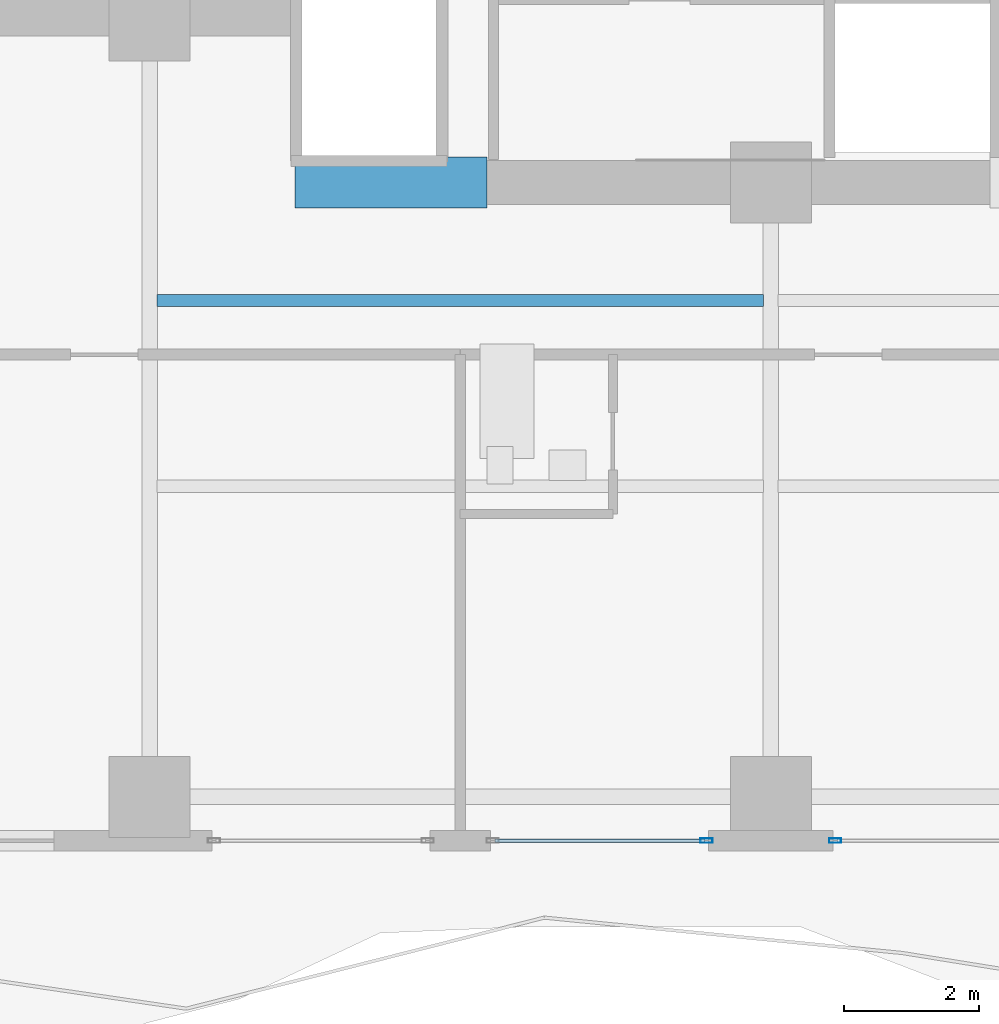
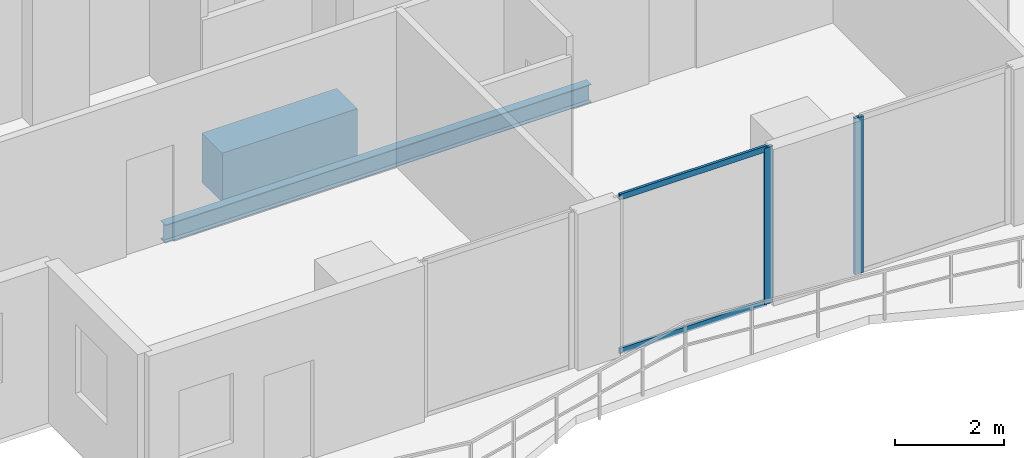
# One storey, part 4 of 33: 4 members, 2 beams, 2 elements without a shape of their own.
"""IFC4 building model written with IfcOpenShell, lengths in metres."""

from ifc_helpers import new_model, si_unit, direction, frame, origin, origin_2d, place, context, subcontext, project, spatial, rectangle, hollow_rectangle, i_section, extrude, material, layer, layer_set, material_profile, profile_set, type_object, element, aggregate, save


model = new_model("IFC4")

# Units and contexts
model_context = context("Model", 3, precision=1e-05, world=origin(), true_north=direction((0.0, 1.0)))
body_context = subcontext(model_context, "Body", "Model", "MODEL_VIEW")
ifc_project = project(units=[si_unit("LENGTHUNIT", "METRE"), si_unit("AREAUNIT", "SQUARE_METRE"), si_unit("VOLUMEUNIT", "CUBIC_METRE"), si_unit("PLANEANGLEUNIT", "RADIAN"), si_unit("MASSUNIT", "GRAM", prefix="KILO")], contexts=[model_context])

# Site, building, storey
site_placement = place(None, origin())
site = spatial("IfcSite", under=ifc_project, at=site_placement, CompositionType="ELEMENT")
building_placement = place(site_placement, origin())
building = spatial("IfcBuilding", under=site, at=building_placement, Name="Zuhayl Quay Hotel", CompositionType="ELEMENT")
storey_placement = place(building_placement, frame((0.0, 0.0, 229.89990234375)))
storey = spatial("IfcBuildingStorey", under=building, at=storey_placement, Name="L58", CompositionType="ELEMENT", Elevation=229.89990234375)

# Beams
ifc_material_1 = material(Name="Concrete C60/75", Category="concrete")
ifc_material_profile_1 = material_profile(ifc_material_1, rectangle(XDim=0.75, YDim=1.10009765625, at=origin_2d()), Name="RC750X1100")
ifc_profile_set_1 = profile_set([ifc_material_profile_1], Name="Concrete C60/75")
beam_type_1 = type_object("IfcBeamType", Name="BM_CB2_RC750", PredefinedType="T_BEAM", material=ifc_profile_set_1)
beam_1_placement = place(storey_placement, frame((-11.64990234375, 2.14990234375, -0.77001953125), z_axis=(1.0, 0.0, 0.0), x_axis=(0.0, 1.0, 0.0)))
element("IfcBeam", 1, at=beam_1_placement, inside=storey, type_object=beam_type_1, Name="L58 Core Coupling Beam SW", PredefinedType="T_BEAM", context=body_context, shape_type="SweptSolid", body=[
    extrude(rectangle(XDim=0.75, YDim=1.10009765625, at=origin_2d()), origin(), (0.0, 0.0, 1.0), 2.849853515625),
])
ifc_material_2 = material(Name="Steel ASTM A992 Grade 50", Category="steel")
ifc_material_profile_2 = material_profile(ifc_material_2, i_section(OverallWidth=0.177978515625, OverallDepth=0.406005859375, WebThickness=0.0078125, FlangeThickness=0.0126953125, at=origin_2d()), Name="W16X40")
ifc_profile_set_2 = profile_set([ifc_material_profile_2], Name="Steel ASTM A992 Grade 50")
beam_type_2 = type_object("IfcBeamType", Name="BM_J2B_W16X40", PredefinedType="JOIST", material=ifc_profile_set_2)
beam_2_placement = place(storey_placement, frame((-13.694091796875, 0.39990234375, -0.4228515625), z_axis=(1.0, 0.0, 0.0), x_axis=(0.0, 1.0, 0.0)))
element("IfcBeam", 2, at=beam_2_placement, inside=storey, type_object=beam_type_2, Name="L58 Floor Beam FJ_L58_8_1", PredefinedType="JOIST", context=body_context, shape_type="SweptSolid", body=[
    extrude(i_section(OverallWidth=0.177978515625, OverallDepth=0.406005859375, WebThickness=0.0078125, FlangeThickness=0.0126953125, at=origin_2d()), origin(), (0.0, 0.0, 1.0), 8.988037109375),
])

# Curtain wall, member
ifc_material_3 = material(Name="Anodised Aluminium 6063-T6", Category="aluminium")
ifc_layer = layer(ifc_material_3, 0.175048828125, Name="Anodised Aluminium 6063-T6", Category="aluminium")
ifc_layer_set = layer_set([ifc_layer], Name="Anodised Aluminium 6063-T6")
curtain_wall_type = type_object("IfcCurtainWallType", Name="CW_SYS_Z3", PredefinedType="USERDEFINED", material=ifc_layer_set)
curtain_wall_1_placement = place(storey_placement, origin())
curtain_wall_1 = element("IfcCurtainWall", 3, at=curtain_wall_1_placement, inside=storey, type_object=curtain_wall_type, Name="L58 Curtain Wall ENV_L58_S_CW5", ObjectType="UNITISED CURTAIN WALL", PredefinedType="USERDEFINED")
ifc_material_4 = material(Name="Black-anodised aluminium 6063-T6", Category="aluminium")
ifc_material_profile_3 = material_profile(ifc_material_4, hollow_rectangle(XDim=0.06494140625, YDim=0.179931640625, WallThickness=0.00341796875, at=origin_2d()), Name="ALU180X65")
ifc_profile_set_3 = profile_set([ifc_material_profile_3], Name="Black-anodised aluminium 6063-T6")
member_type_1 = type_object("IfcMemberType", Name="MB_CW_MUL_180", PredefinedType="MULLION", material=ifc_profile_set_3)
member_1_placement = place(storey_placement, frame((-3.6474609375, -7.60009765625, 0.0), z_axis=(0.0, 0.0, 1.0), x_axis=(0.0, -1.0, 0.0)))
member_1 = element("IfcMember", 4, at=member_1_placement, type_object=member_type_1, Name="CW-Z3 mullion 2", PredefinedType="MULLION", context=body_context, shape_type="SweptSolid", body=[
    extrude(hollow_rectangle(XDim=0.06494140625, YDim=0.179931640625, WallThickness=0.00341796875, at=origin_2d()), origin(), (0.0, 0.0, 1.0), 3.489990234375),
])
aggregate(curtain_wall_1, [member_1])

# Curtain wall, members
curtain_wall_2_placement = place(storey_placement, origin())
curtain_wall_2 = element("IfcCurtainWall", 5, at=curtain_wall_2_placement, inside=storey, type_object=curtain_wall_type, Name="L58 Curtain Wall ENV_L58_S_CW6", ObjectType="UNITISED CURTAIN WALL", PredefinedType="USERDEFINED")
member_2_placement = place(storey_placement, frame((-5.552490234375, -7.60009765625, 0.0), z_axis=(0.0, 0.0, 1.0), x_axis=(0.0, -1.0, 0.0)))
member_2 = element("IfcMember", 6, at=member_2_placement, type_object=member_type_1, Name="CW-Z3 mullion 1", PredefinedType="MULLION", context=body_context, shape_type="SweptSolid", body=[
    extrude(hollow_rectangle(XDim=0.06494140625, YDim=0.179931640625, WallThickness=0.00341796875, at=origin_2d()), origin(), (0.0, 0.0, 1.0), 3.489990234375),
])
ifc_material_profile_4 = material_profile(ifc_material_4, hollow_rectangle(XDim=0.054931640625, YDim=0.1298828125, WallThickness=0.0029296875, at=origin_2d()), Name="ALU130X55")
ifc_profile_set_4 = profile_set([ifc_material_profile_4], Name="Black-anodised aluminium 6063-T6")
member_type_2 = type_object("IfcMemberType", Name="MB_CW_TRN_130", PredefinedType="USERDEFINED", material=ifc_profile_set_4)
member_3_placement = place(storey_placement, frame((-5.5849609375, -7.60009765625, 0.027587890625), z_axis=(-1.0, 0.0, 0.0), x_axis=(0.0, -1.0, 0.0)))
member_3 = element("IfcMember", 7, at=member_3_placement, type_object=member_type_2, Name="CW-Z3 transom 1.1", ObjectType="TRANSOM", PredefinedType="USERDEFINED", context=body_context, shape_type="SweptSolid", body=[
    extrude(hollow_rectangle(XDim=0.054931640625, YDim=0.1298828125, WallThickness=0.0029296875, at=origin_2d()), origin(), (0.0, 0.0, 1.0), 3.10009765625),
])
member_4_placement = place(storey_placement, frame((-5.5849609375, -7.60009765625, 3.462646484375), z_axis=(-1.0, 0.0, 0.0), x_axis=(0.0, -1.0, 0.0)))
member_4 = element("IfcMember", 8, at=member_4_placement, type_object=member_type_2, Name="CW-Z3 transom 1.2", ObjectType="TRANSOM", PredefinedType="USERDEFINED", context=body_context, shape_type="SweptSolid", body=[
    extrude(hollow_rectangle(XDim=0.054931640625, YDim=0.1298828125, WallThickness=0.0029296875, at=origin_2d()), origin(), (0.0, 0.0, 1.0), 3.10009765625),
])
aggregate(curtain_wall_2, [member_2, member_3, member_4])

save(model, "model.ifc")
